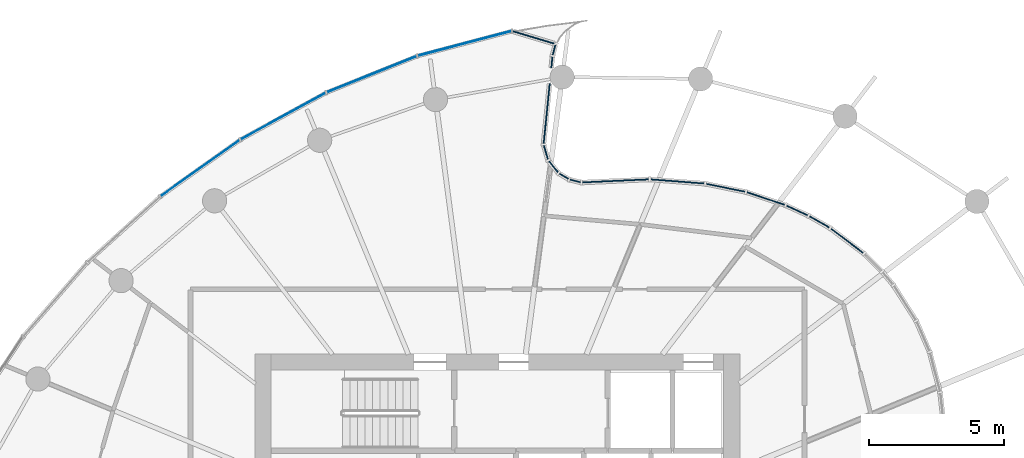
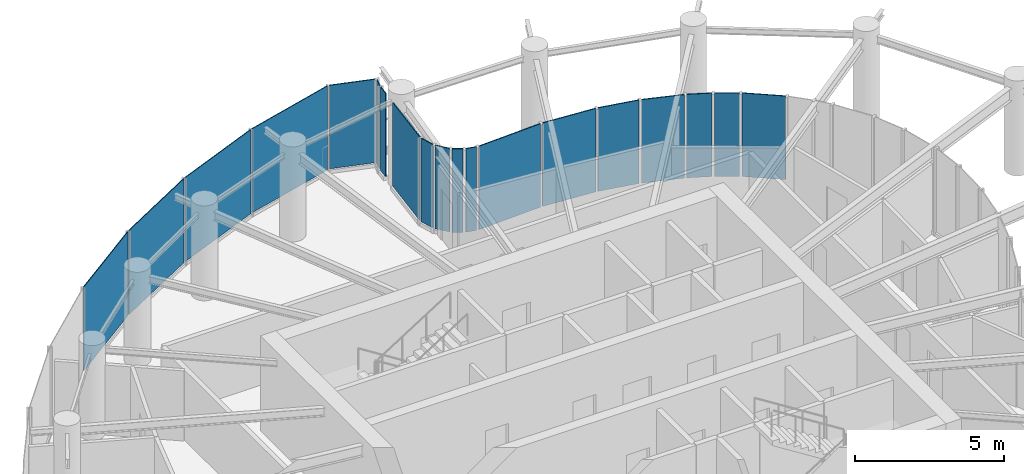
# One storey, part 11 of 17: 19 plates, 4 elements without a shape of their own.
"""IFC4 building model written with IfcOpenShell, lengths in metres."""

from ifc_helpers import new_model, si_unit, direction, frame, origin, origin_2d, place, context, subcontext, project, spatial, rectangle, extrude, source, transform, mapped, material, layer, layer_set, type_object, element, aggregate, save


model = new_model("IFC4")

# Units and contexts
model_context = context("Model", 3, precision=1e-05, world=origin(), true_north=direction((0.0, 1.0)))
body_context = subcontext(model_context, "Body", "Model", "MODEL_VIEW")
ifc_project = project(units=[si_unit("LENGTHUNIT", "METRE"), si_unit("AREAUNIT", "SQUARE_METRE"), si_unit("VOLUMEUNIT", "CUBIC_METRE"), si_unit("PLANEANGLEUNIT", "RADIAN"), si_unit("MASSUNIT", "GRAM", prefix="KILO")], contexts=[model_context])

# Site, building, storey
site_placement = place(None, origin())
site = spatial("IfcSite", under=ifc_project, at=site_placement, CompositionType="ELEMENT")
building_placement = place(site_placement, origin())
building = spatial("IfcBuilding", under=site, at=building_placement, Name="Spindrift Exchange Tower", CompositionType="ELEMENT")
storey_placement = place(building_placement, frame((0.0, 0.0, 187.699951171875)))
storey = spatial("IfcBuildingStorey", under=building, at=storey_placement, Name="L45", CompositionType="ELEMENT", Elevation=187.699951171875)

# Curtain wall, plate
ifc_material_1 = material(Name="Fritted laminated glass with bronze frame", Category="glass")
ifc_layer_1 = layer(ifc_material_1, 0.199951171875)
ifc_layer_set_1 = layer_set([ifc_layer_1], Name="SKY GARDEN BRONZE GLAZED WALL")
curtain_wall_type_1 = type_object("IfcCurtainWallType", Name="SKY GARDEN BRONZE GLAZED WALL", PredefinedType="NOTDEFINED", material=ifc_layer_set_1)
curtain_wall_1_placement = place(storey_placement, origin())
curtain_wall_1 = element("IfcCurtainWall", 1, at=curtain_wall_1_placement, inside=storey, type_object=curtain_wall_type_1, Name="L45 Sky Garden Bronze Glazed Wall run 8", PredefinedType="NOTDEFINED")
ifc_material_2 = material(Name="Bronze tinted laminated glass, clear vision", Category="glass")
ifc_layer_2 = layer(ifc_material_2, 0.0380859375)
ifc_layer_set_2 = layer_set([ifc_layer_2], Name="SKY GARDEN BRONZE GLAZED WALL PANEL CLEAR 1920")
plate_type_1 = type_object("IfcPlateType", Name="SKY GARDEN BRONZE GLAZED WALL PANEL CLEAR 1920", PredefinedType="CURTAIN_PANEL", material=ifc_layer_set_2)
shared_shape_1 = source(origin(), body_context, "Body", "SweptSolid", [
    extrude(rectangle(XDim=1.48828125, YDim=0.0380859375, at=origin_2d()), origin(), (0.0, 0.0, 1.0), 3.429931640625),
])
plate_1_placement = place(storey_placement, frame((64.98291015625, 60.198974609375, 0.14990234375), z_axis=(0.0, 0.0, 1.0), x_axis=(-0.798349720685, 0.602194091204, 0.0)))
plate_1 = element("IfcPlate", 2, at=plate_1_placement, type_object=plate_type_1, Name="L45 panel CW-G.43", PredefinedType="CURTAIN_PANEL", context=body_context, shape_type="MappedRepresentation", body=[
    mapped(shared_shape_1, transform((0.0, 0.0, 0.0), scale=1.0)),
])
aggregate(curtain_wall_1, [plate_1])

# Curtain wall, plates
curtain_wall_2_placement = place(storey_placement, origin())
curtain_wall_2 = element("IfcCurtainWall", 3, at=curtain_wall_2_placement, inside=storey, type_object=curtain_wall_type_1, Name="L45 Sky Garden Bronze Glazed Wall run 9", PredefinedType="NOTDEFINED")
ifc_layer_3 = layer(ifc_material_2, 0.0380859375)
ifc_layer_set_3 = layer_set([ifc_layer_3], Name="SKY GARDEN BRONZE GLAZED WALL PANEL CLEAR 1560")
plate_type_2 = type_object("IfcPlateType", Name="SKY GARDEN BRONZE GLAZED WALL PANEL CLEAR 1560", PredefinedType="CURTAIN_PANEL", material=ifc_layer_set_3)
shared_shape_2 = source(origin(), body_context, "Body", "SweptSolid", [
    extrude(rectangle(XDim=0.85595703125, YDim=0.0380859375, at=origin_2d()), origin(), (0.0, 0.0, 1.0), 3.429931640625),
])
plate_2_placement = place(storey_placement, frame((63.12744140625, 61.325927734375, 0.14990234375), z_axis=(0.0, 0.0, 1.0), x_axis=(-0.908651799001, 0.417554676865, 0.0)))
plate_2 = element("IfcPlate", 4, at=plate_2_placement, type_object=plate_type_2, Name="L45 panel CW-G.45", PredefinedType="CURTAIN_PANEL", context=body_context, shape_type="MappedRepresentation", body=[
    mapped(shared_shape_2, transform((0.0, 0.0, 0.0), scale=1.0)),
])
shared_shape_3 = source(origin(), body_context, "Body", "SweptSolid", [
    extrude(rectangle(XDim=2.451904296875, YDim=0.0380859375, at=origin_2d()), origin(), (0.0, 0.0, 1.0), 3.429931640625),
])
plate_3_placement = place(storey_placement, frame((56.384765625, 62.423583984375, 0.14990234375), z_axis=(0.0, 0.0, 1.0), x_axis=(-0.998934150368, -0.046158024525, 0.0)))
plate_3 = element("IfcPlate", 5, at=plate_3_placement, type_object=plate_type_1, Name="L45 panel CW-G.49", PredefinedType="CURTAIN_PANEL", context=body_context, shape_type="MappedRepresentation", body=[
    mapped(shared_shape_3, transform((0.0, 0.0, 0.0), scale=1.0)),
])

curtain_wall_3_placement = place(storey_placement, origin())
curtain_wall_3 = element("IfcCurtainWall", 6, at=curtain_wall_3_placement, inside=storey, type_object=curtain_wall_type_1, Name="L45 Sky Garden Bronze Glazed Wall run 10", PredefinedType="NOTDEFINED")
shared_shape_4 = source(origin(), body_context, "Body", "SweptSolid", [
    extrude(rectangle(XDim=0.526123046875, YDim=0.0380859375, at=origin_2d()), origin(), (0.0, 0.0, 1.0), 3.429931640625),
])
plate_4_placement = place(storey_placement, frame((54.07958984375, 62.949951171875, 0.14990234375), z_axis=(0.0, 0.0, 1.0), x_axis=(-0.630900620737, 0.775863652167, 0.0)))
plate_4 = element("IfcPlate", 7, at=plate_4_placement, type_object=plate_type_2, Name="L45 panel CW-G.52", PredefinedType="CURTAIN_PANEL", context=body_context, shape_type="MappedRepresentation", body=[
    mapped(shared_shape_4, transform((0.0, 0.0, 0.0), scale=1.0)),
])
plate_5_placement = place(storey_placement, frame((53.80078125, 63.480224609375, 0.14990234375), z_axis=(0.0, 0.0, 1.0), x_axis=(-0.281909453998, 0.959441014209, 0.0)))
plate_5 = element("IfcPlate", 8, at=plate_5_placement, type_object=plate_type_2, Name="L45 panel CW-G.53", PredefinedType="CURTAIN_PANEL", context=body_context, shape_type="MappedRepresentation", body=[
    mapped(shared_shape_4, transform((0.0, 0.0, 0.0), scale=1.0)),
])
ifc_layer_4 = layer(ifc_material_2, 0.0380859375)
ifc_layer_set_4 = layer_set([ifc_layer_4], Name="SKY GARDEN BRONZE GLAZED WALL PANEL CLEAR 1200")
plate_type_3 = type_object("IfcPlateType", Name="SKY GARDEN BRONZE GLAZED WALL PANEL CLEAR 1200", PredefinedType="CURTAIN_PANEL", material=ifc_layer_set_4)
shared_shape_5 = source(origin(), body_context, "Body", "SweptSolid", [
    extrude(rectangle(XDim=0.3701171875, YDim=0.0380859375, at=origin_2d()), origin(), (0.0, 0.0, 1.0), 3.429931640625),
])
plate_6_placement = place(storey_placement, frame((54.10400390625, 67.28369140625, 0.14990234375), z_axis=(0.0, 0.0, 1.0), x_axis=(0.254049991735, 0.967191088513, 0.0)))
plate_6 = element("IfcPlate", 9, at=plate_6_placement, type_object=plate_type_3, Name="L45 panel CW-G.55", PredefinedType="CURTAIN_PANEL", context=body_context, shape_type="MappedRepresentation", body=[
    mapped(shared_shape_5, transform((0.0, 0.0, 0.0), scale=1.0)),
])
shared_shape_6 = source(origin(), body_context, "Body", "SweptSolid", [
    extrude(rectangle(XDim=1.604736328125, YDim=0.0380859375, at=origin_2d()), origin(), (0.0, 0.0, 1.0), 3.429931640625),
])
plate_7_placement = place(storey_placement, frame((53.3525390625, 67.74658203125, 0.14990234375), z_axis=(0.0, 0.0, 1.0), x_axis=(-0.957813466676, 0.287390610589, 0.0)))
plate_7 = element("IfcPlate", 10, at=plate_7_placement, type_object=plate_type_2, Name="L45 panel CW-G.56", PredefinedType="CURTAIN_PANEL", context=body_context, shape_type="MappedRepresentation", body=[
    mapped(shared_shape_6, transform((0.0, 0.0, 0.0), scale=1.0)),
])

ifc_layer_5 = layer(ifc_material_1, 0.169921875)
ifc_layer_set_5 = layer_set([ifc_layer_5], Name="ZONE 4 BRONZE FRITTED WALL")
curtain_wall_type_2 = type_object("IfcCurtainWallType", Name="ZONE 4 BRONZE FRITTED WALL", PredefinedType="NOTDEFINED", material=ifc_layer_set_5)
curtain_wall_4_placement = place(storey_placement, origin())
curtain_wall_4 = element("IfcCurtainWall", 11, at=curtain_wall_4_placement, inside=storey, type_object=curtain_wall_type_2, Name="L45 Zone 4 Bronze Fritted Wall run 1", PredefinedType="NOTDEFINED")
ifc_material_3 = material(Name="Bronze fritted laminated glass, open frit", Category="glass")
ifc_layer_6 = layer(ifc_material_3, 0.030029296875)
ifc_layer_set_6 = layer_set([ifc_layer_6], Name="ZONE 4 BRONZE FRITTED WALL PANEL OPEN FRIT 600")
plate_type_4 = type_object("IfcPlateType", Name="ZONE 4 BRONZE FRITTED WALL PANEL OPEN FRIT 600", PredefinedType="CURTAIN_PANEL", material=ifc_layer_set_6)
shared_shape_7 = source(origin(), body_context, "Body", "SweptSolid", [
    extrude(rectangle(XDim=3.577392578125, YDim=0.030029296875, at=origin_2d()), origin(), (0.0, 0.0, 1.0), 3.455078125),
])
plate_8_placement = place(storey_placement, frame((50.7822265625, 67.525634765625, 0.125), z_axis=(0.0, 0.0, 1.0), x_axis=(-0.967035273324, -0.254642455508, 0.0)))
plate_8 = element("IfcPlate", 12, at=plate_8_placement, type_object=plate_type_4, Name="L45 panel CW-4.1", PredefinedType="CURTAIN_PANEL", context=body_context, shape_type="MappedRepresentation", body=[
    mapped(shared_shape_7, transform((0.0, 0.0, 0.0), scale=1.0)),
])
ifc_layer_7 = layer(ifc_material_3, 0.030029296875)
ifc_layer_set_7 = layer_set([ifc_layer_7], Name="ZONE 4 BRONZE FRITTED WALL PANEL OPEN FRIT 360")
plate_type_5 = type_object("IfcPlateType", Name="ZONE 4 BRONZE FRITTED WALL PANEL OPEN FRIT 360", PredefinedType="CURTAIN_PANEL", material=ifc_layer_set_7)
shared_shape_8 = source(origin(), body_context, "Body", "SweptSolid", [
    extrude(rectangle(XDim=3.57763671875, YDim=0.030029296875, at=origin_2d()), origin(), (0.0, 0.0, 1.0), 3.455078125),
])
plate_9_placement = place(storey_placement, frame((47.331298828125, 66.382080078125, 0.125), z_axis=(0.0, 0.0, 1.0), x_axis=(-0.92778807316, -0.373107613566, 0.0)))
plate_9 = element("IfcPlate", 13, at=plate_9_placement, type_object=plate_type_5, Name="L45 panel CW-4.2", PredefinedType="CURTAIN_PANEL", context=body_context, shape_type="MappedRepresentation", body=[
    mapped(shared_shape_8, transform((0.0, 0.0, 0.0), scale=1.0)),
])
shared_shape_9 = source(origin(), body_context, "Body", "SweptSolid", [
    extrude(rectangle(XDim=3.577880859375, YDim=0.030029296875, at=origin_2d()), origin(), (0.0, 0.0, 1.0), 3.455078125),
])
plate_10_placement = place(storey_placement, frame((44.044189453125, 64.82763671875, 0.125), z_axis=(0.0, 0.0, 1.0), x_axis=(-0.877001124099, -0.480488322781, 0.0)))
plate_10 = element("IfcPlate", 14, at=plate_10_placement, type_object=plate_type_5, Name="L45 panel CW-4.3", PredefinedType="CURTAIN_PANEL", context=body_context, shape_type="MappedRepresentation", body=[
    mapped(shared_shape_9, transform((0.0, 0.0, 0.0), scale=1.0)),
])
plate_11_placement = place(storey_placement, frame((40.9619140625, 62.8974609375, 0.125), z_axis=(0.0, 0.0, 1.0), x_axis=(-0.815234951634, -0.579130359793, 0.0)))
plate_11 = element("IfcPlate", 15, at=plate_11_placement, type_object=plate_type_5, Name="L45 panel CW-4.4", PredefinedType="CURTAIN_PANEL", context=body_context, shape_type="MappedRepresentation", body=[
    mapped(shared_shape_9, transform((0.0, 0.0, 0.0), scale=1.0)),
])
aggregate(curtain_wall_4, [plate_8, plate_9, plate_10, plate_11])

# Plate
shared_shape_10 = source(origin(), body_context, "Body", "SweptSolid", [
    extrude(rectangle(XDim=0.836181640625, YDim=0.0380859375, at=origin_2d()), origin(), (0.0, 0.0, 1.0), 3.429931640625),
])
plate_12_placement = place(storey_placement, frame((63.954833984375, 60.90087890625, 0.14990234375), z_axis=(0.0, 0.0, 1.0), x_axis=(-0.868403131272, 0.495858852494, 0.0)))
plate_12 = element("IfcPlate", 16, at=plate_12_placement, type_object=plate_type_2, Name="L45 panel CW-G.44", PredefinedType="CURTAIN_PANEL", context=body_context, shape_type="MappedRepresentation", body=[
    mapped(shared_shape_10, transform((0.0, 0.0, 0.0), scale=1.0)),
])

shared_shape_11 = source(origin(), body_context, "Body", "SweptSolid", [
    extrude(rectangle(XDim=1.46875, YDim=0.0380859375, at=origin_2d()), origin(), (0.0, 0.0, 1.0), 3.429931640625),
])
plate_13_placement = place(storey_placement, frame((61.963134765625, 61.7685546875, 0.14990234375), z_axis=(0.0, 0.0, 1.0), x_axis=(-0.948470864095, 0.31686435578, 0.0)))
plate_13 = element("IfcPlate", 17, at=plate_13_placement, type_object=plate_type_3, Name="L45 panel CW-G.46", PredefinedType="CURTAIN_PANEL", context=body_context, shape_type="MappedRepresentation", body=[
    mapped(shared_shape_11, transform((0.0, 0.0, 0.0), scale=1.0)),
])

shared_shape_12 = source(origin(), body_context, "Body", "SweptSolid", [
    extrude(rectangle(XDim=1.45703125, YDim=0.0380859375, at=origin_2d()), origin(), (0.0, 0.0, 1.0), 3.429931640625),
])
plate_14_placement = place(storey_placement, frame((60.470703125, 62.168701171875, 0.14990234375), z_axis=(0.0, 0.0, 1.0), x_axis=(-0.979848080594, 0.199744183786, 0.0)))
plate_14 = element("IfcPlate", 18, at=plate_14_placement, type_object=plate_type_1, Name="L45 panel CW-G.47", PredefinedType="CURTAIN_PANEL", context=body_context, shape_type="MappedRepresentation", body=[
    mapped(shared_shape_12, transform((0.0, 0.0, 0.0), scale=1.0)),
])

shared_shape_13 = source(origin(), body_context, "Body", "SweptSolid", [
    extrude(rectangle(XDim=1.984619140625, YDim=0.0380859375, at=origin_2d()), origin(), (0.0, 0.0, 1.0), 3.429931640625),
])
plate_15_placement = place(storey_placement, frame((58.68359375, 62.40234375, 0.14990234375), z_axis=(0.0, 0.0, 1.0), x_axis=(-0.997022278684, 0.077114044166, 0.0)))
plate_15 = element("IfcPlate", 19, at=plate_15_placement, type_object=plate_type_3, Name="L45 panel CW-G.48", PredefinedType="CURTAIN_PANEL", context=body_context, shape_type="MappedRepresentation", body=[
    mapped(shared_shape_13, transform((0.0, 0.0, 0.0), scale=1.0)),
])

aggregate(curtain_wall_2, [plate_12, plate_2, plate_13, plate_14, plate_15, plate_3])

shared_shape_14 = source(origin(), body_context, "Body", "SweptSolid", [
    extrude(rectangle(XDim=0.379638671875, YDim=0.0380859375, at=origin_2d()), origin(), (0.0, 0.0, 1.0), 3.429931640625),
])
plate_16_placement = place(storey_placement, frame((54.89208984375, 62.420654296875, 0.14990234375), z_axis=(0.0, 0.0, 1.0), x_axis=(-0.970985047996, 0.239140202742, 0.0)))
plate_16 = element("IfcPlate", 20, at=plate_16_placement, type_object=plate_type_3, Name="L45 panel CW-G.50", PredefinedType="CURTAIN_PANEL", context=body_context, shape_type="MappedRepresentation", body=[
    mapped(shared_shape_14, transform((0.0, 0.0, 0.0), scale=1.0)),
])

shared_shape_15 = source(origin(), body_context, "Body", "SweptSolid", [
    extrude(rectangle(XDim=0.374755859375, YDim=0.0380859375, at=origin_2d()), origin(), (0.0, 0.0, 1.0), 3.429931640625),
])
plate_17_placement = place(storey_placement, frame((54.469482421875, 62.594482421875, 0.14990234375), z_axis=(0.0, 0.0, 1.0), x_axis=(-0.857416198872, 0.514623611888, 0.0)))
plate_17 = element("IfcPlate", 21, at=plate_17_placement, type_object=plate_type_3, Name="L45 panel CW-G.51", PredefinedType="CURTAIN_PANEL", context=body_context, shape_type="MappedRepresentation", body=[
    mapped(shared_shape_15, transform((0.0, 0.0, 0.0), scale=1.0)),
])

shared_shape_16 = source(origin(), body_context, "Body", "SweptSolid", [
    extrude(rectangle(XDim=2.22119140625, YDim=0.0380859375, at=origin_2d()), origin(), (0.0, 0.0, 1.0), 3.429931640625),
])
plate_18_placement = place(storey_placement, frame((53.830078125, 64.920654296875, 0.14990234375), z_axis=(0.0, 0.0, 1.0), x_axis=(0.100306146147, 0.994956620685, 0.0)))
plate_18 = element("IfcPlate", 22, at=plate_18_placement, type_object=plate_type_2, Name="L45 panel CW-G.54", PredefinedType="CURTAIN_PANEL", context=body_context, shape_type="MappedRepresentation", body=[
    mapped(shared_shape_16, transform((0.0, 0.0, 0.0), scale=1.0)),
])

shared_shape_17 = source(origin(), body_context, "Body", "SweptSolid", [
    extrude(rectangle(XDim=0.40478515625, YDim=0.0380859375, at=origin_2d()), origin(), (0.0, 0.0, 1.0), 3.429931640625),
])
plate_19_placement = place(storey_placement, frame((54.021484375, 66.820068359375, 0.14990234375), z_axis=(0.0, 0.0, 1.0), x_axis=(0.100306146147, 0.994956620685, 0.0)))
plate_19 = element("IfcPlate", 23, at=plate_19_placement, type_object=plate_type_2, Name="L45 panel CW-G.54b", PredefinedType="CURTAIN_PANEL", context=body_context, shape_type="MappedRepresentation", body=[
    mapped(shared_shape_17, transform((0.0, 0.0, 0.0), scale=1.0)),
])

aggregate(curtain_wall_3, [plate_16, plate_17, plate_4, plate_5, plate_18, plate_19, plate_6, plate_7])

save(model, "model.ifc")
